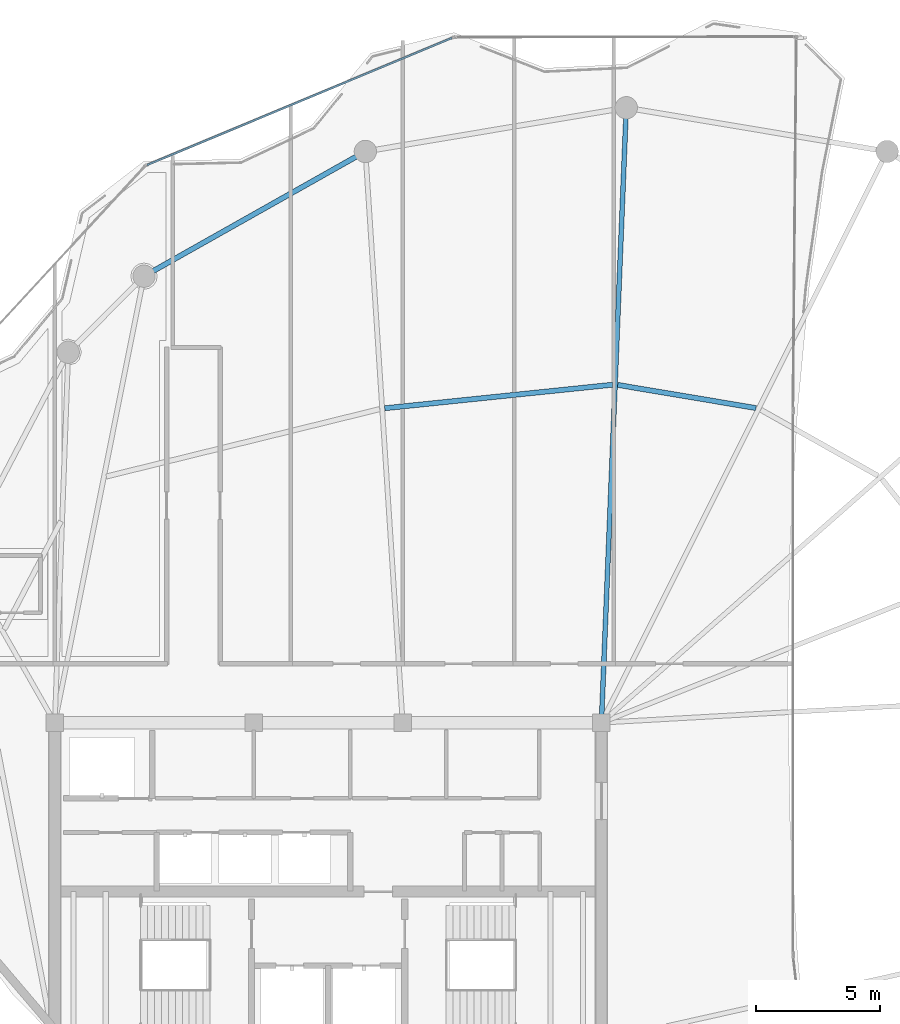
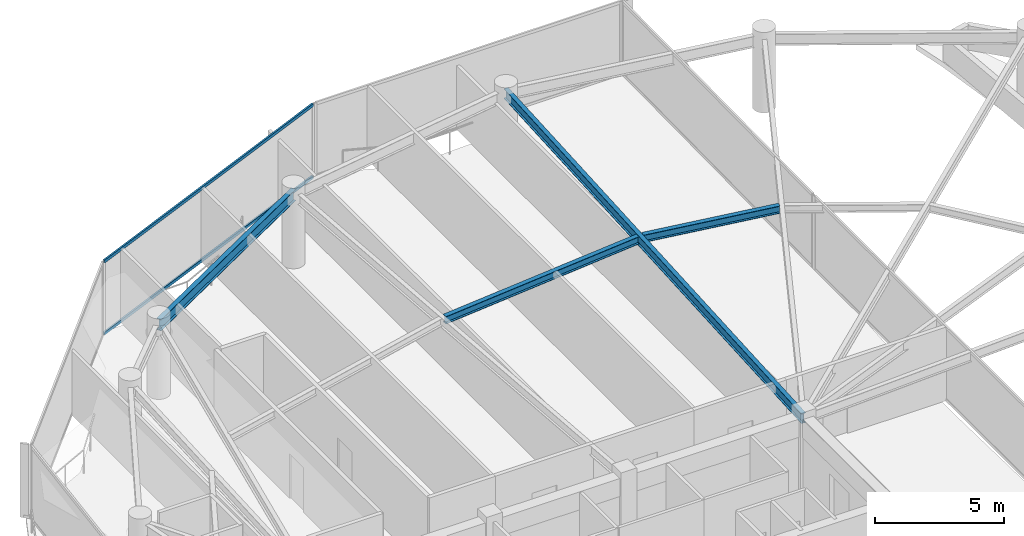
# One storey, part 14 of 22: 4 beams, 2 members, 1 element without a shape of its own.
"""IFC4 building model written with IfcOpenShell, lengths in metres."""

from ifc_helpers import new_model, si_unit, direction, frame, origin, origin_2d, place, context, subcontext, project, spatial, hollow_rectangle, i_section, extrude, material, layer, layer_set, material_profile, profile_set, type_object, element, aggregate, save


model = new_model("IFC4")

# Units and contexts
model_context = context("Model", 3, precision=1e-05, world=origin(), true_north=direction((0.0, 1.0)))
body_context = subcontext(model_context, "Body", "Model", "MODEL_VIEW")
ifc_project = project(units=[si_unit("LENGTHUNIT", "METRE"), si_unit("AREAUNIT", "SQUARE_METRE"), si_unit("VOLUMEUNIT", "CUBIC_METRE"), si_unit("PLANEANGLEUNIT", "RADIAN"), si_unit("MASSUNIT", "GRAM", prefix="KILO")], contexts=[model_context])

# Site, building, storey
site_placement = place(None, origin())
site = spatial("IfcSite", under=ifc_project, at=site_placement, CompositionType="ELEMENT")
building_placement = place(site_placement, origin())
building = spatial("IfcBuilding", under=site, at=building_placement, Name="Kazevale Care Tower and Concert Hall", CompositionType="ELEMENT")
storey_placement = place(building_placement, frame((0.0, 0.0, 277.60009765625)))
storey = spatial("IfcBuildingStorey", under=building, at=storey_placement, Name="L73", CompositionType="ELEMENT", Elevation=277.60009765625)

# Curtain wall, members
ifc_material_1 = material(Name="Aluminium 6063-T6 and Low-E Glass", Category="aluminium")
ifc_layer = layer(ifc_material_1, 0.179931640625)
ifc_layer_set = layer_set([ifc_layer], Name="Aluminium 6063-T6 and Low-E Glass")
curtain_wall_type = type_object("IfcCurtainWallType", Name="Waist & Upper Residential Curtain Wall CW-4", PredefinedType="NOTDEFINED", material=ifc_layer_set)
curtain_wall_placement = place(storey_placement, origin())
curtain_wall = element("IfcCurtainWall", 1, at=curtain_wall_placement, inside=storey, type_object=curtain_wall_type, Name="cw:L73:f11", PredefinedType="NOTDEFINED")
ifc_material_2 = material(Name="Aluminium 6063-T6", Category="aluminium")
ifc_material_profile_1 = material_profile(ifc_material_2, hollow_rectangle(XDim=0.080078125, YDim=0.139892578125, WallThickness=0.00390625, at=origin_2d()), Name="ALU80x140x4")
ifc_profile_set_1 = profile_set([ifc_material_profile_1], Name="Aluminium 6063-T6")
member_type = type_object("IfcMemberType", Name="CW-4 Transom ALU80x140x4", PredefinedType="USERDEFINED", material=ifc_profile_set_1)
member_1_placement = place(storey_placement, frame((25.71484375, 58.8447265625, 0.039794921875), z_axis=(0.923045940802, 0.384689733642, 0.0), x_axis=(-0.384689733642, 0.923045940802, 0.0)))
member_1 = element("IfcMember", 2, at=member_1_placement, type_object=member_type, Name="CW-4 transom 1.1", ObjectType="TRANSOM", PredefinedType="USERDEFINED", context=body_context, shape_type="SweptSolid", body=[
    extrude(hollow_rectangle(XDim=0.080078125, YDim=0.139892578125, WallThickness=0.00390625, at=origin_2d()), origin(), (0.0, 0.0, 1.0), 13.2900390625),
])
member_2_placement = place(storey_placement, frame((25.71484375, 58.8447265625, 3.43994140625), z_axis=(0.923045940802, 0.384689733642, 0.0), x_axis=(-0.384689733642, 0.923045940802, 0.0)))
member_2 = element("IfcMember", 3, at=member_2_placement, type_object=member_type, Name="CW-4 transom 1.2", ObjectType="TRANSOM", PredefinedType="USERDEFINED", context=body_context, shape_type="SweptSolid", body=[
    extrude(hollow_rectangle(XDim=0.080078125, YDim=0.139892578125, WallThickness=0.00390625, at=origin_2d()), origin(), (0.0, 0.0, 1.0), 13.2900390625),
])
aggregate(curtain_wall, [member_1, member_2])

# Beams
ifc_material_3 = material(Name="Steel ASTM A572 Gr 50", Category="steel")
ifc_material_profile_2 = material_profile(ifc_material_3, i_section(OverallWidth=0.19091796875, OverallDepth=0.4599609375, WebThickness=0.010009765625, FlangeThickness=0.01611328125, at=origin_2d()), Name="W460x82")
ifc_profile_set_2 = profile_set([ifc_material_profile_2], Name="Steel ASTM A572 Gr 50")
beam_type_1 = type_object("IfcBeamType", Name="Radial Floor Beam W460x82", PredefinedType="BEAM", material=ifc_profile_set_2)
beam_1_placement = place(storey_placement, frame((44.0, 36.39990234375, 3.25), z_axis=(0.040371101203, 0.999184754781, 0.0), x_axis=(-0.999184754781, 0.040371101203, 0.0)))
element("IfcBeam", 4, at=beam_1_placement, inside=storey, type_object=beam_type_1, Name="beam:L73:rad:05", PredefinedType="BEAM", context=body_context, shape_type="SweptSolid", body=[
    extrude(i_section(OverallWidth=0.19091796875, OverallDepth=0.4599609375, WebThickness=0.010009765625, FlangeThickness=0.01611328125, at=origin_2d()), origin(), (0.0, 0.0, 1.0), 24.770263671875),
])
ifc_material_profile_3 = material_profile(ifc_material_3, i_section(OverallWidth=0.205078125, OverallDepth=0.35400390625, WebThickness=0.009521484375, FlangeThickness=0.016845703125, at=origin_2d()), Name="W360x79")
ifc_profile_set_3 = profile_set([ifc_material_profile_3], Name="Steel ASTM A572 Gr 50")
beam_type_2 = type_object("IfcBeamType", Name="Secondary Floor Joist W360x79", PredefinedType="JOIST", material=ifc_profile_set_3)
beam_2_placement = place(storey_placement, frame((50.220947265625, 49.06201171875, 3.302978515625), z_axis=(-0.986241534462, 0.165310724705, 0.0), x_axis=(-0.165310724705, -0.986241534462, 0.0)))
element("IfcBeam", 5, at=beam_2_placement, inside=storey, type_object=beam_type_2, Name="beam:L73:joist:04", PredefinedType="JOIST", context=body_context, shape_type="SweptSolid", body=[
    extrude(i_section(OverallWidth=0.205078125, OverallDepth=0.35400390625, WebThickness=0.009521484375, FlangeThickness=0.016845703125, at=origin_2d()), origin(), (0.0, 0.0, 1.0), 5.64453125),
])
beam_3_placement = place(storey_placement, frame((44.446044921875, 50.001953125, 3.302978515625), z_axis=(-0.994706089671, -0.10276086401, 0.0), x_axis=(0.10276086401, -0.994706089671, 0.0)))
element("IfcBeam", 6, at=beam_3_placement, inside=storey, type_object=beam_type_2, Name="beam:L73:joist:05", PredefinedType="JOIST", context=body_context, shape_type="SweptSolid", body=[
    extrude(i_section(OverallWidth=0.205078125, OverallDepth=0.35400390625, WebThickness=0.009521484375, FlangeThickness=0.016845703125, at=origin_2d()), origin(), (0.0, 0.0, 1.0), 9.2158203125),
])
ifc_material_profile_4 = material_profile(ifc_material_3, i_section(OverallWidth=0.208984375, OverallDepth=0.532958984375, WebThickness=0.01025390625, FlangeThickness=0.015625, at=origin_2d()), Name="W530x92")
ifc_profile_set_4 = profile_set([ifc_material_profile_4], Name="Steel ASTM A572 Gr 50")
beam_type_3 = type_object("IfcBeamType", Name="Upper Ring Beam W530x92", PredefinedType="BEAM", material=ifc_profile_set_4)
beam_4_placement = place(storey_placement, frame((34.5, 59.389892578125, 3.21337890625), z_axis=(-0.871243170179, -0.490851646035, 0.0), x_axis=(0.490851646035, -0.871243170179, 0.0)))
element("IfcBeam", 7, at=beam_4_placement, inside=storey, type_object=beam_type_3, Name="beam:L73:ring:06", PredefinedType="BEAM", context=body_context, shape_type="SweptSolid", body=[
    extrude(i_section(OverallWidth=0.208984375, OverallDepth=0.532958984375, WebThickness=0.01025390625, FlangeThickness=0.015625, at=origin_2d()), origin(), (0.0, 0.0, 1.0), 10.2265625),
])

save(model, "model.ifc")
